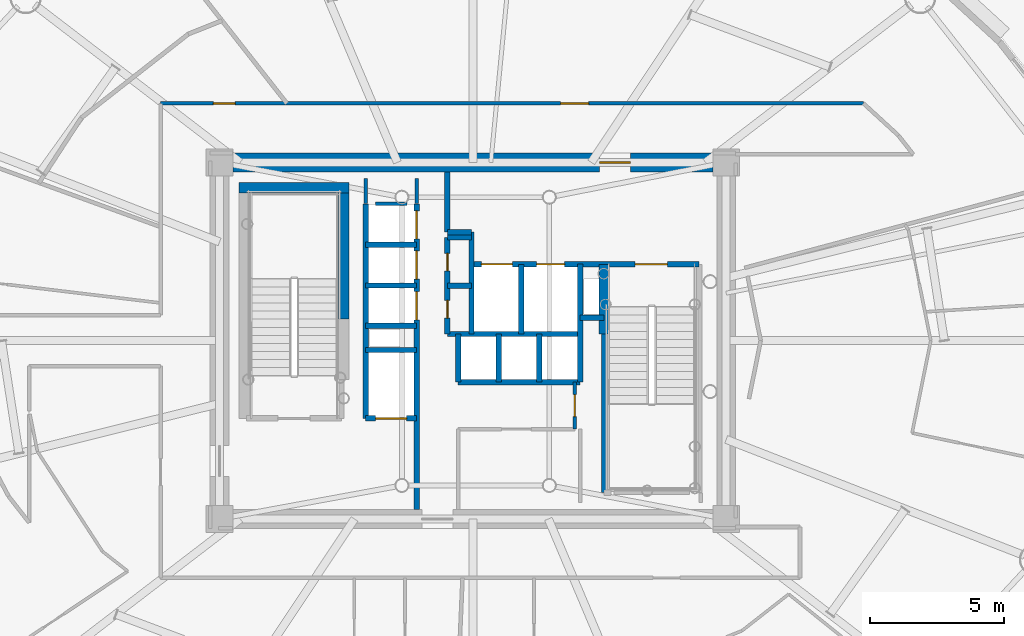
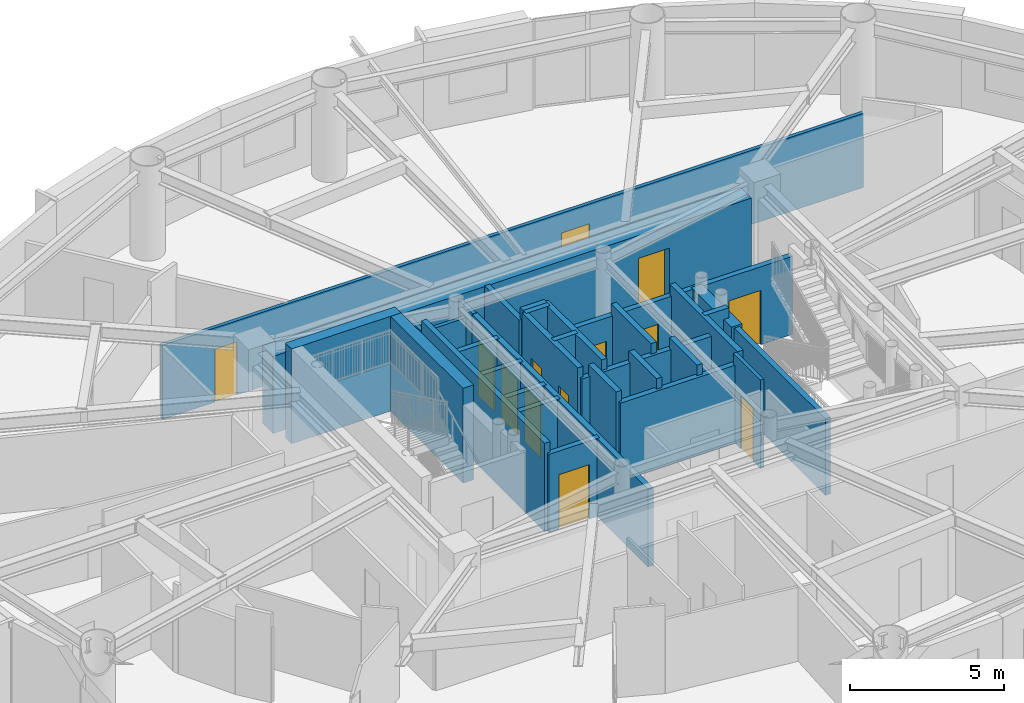
# One storey, part 11 of 19: 32 walls, 13 doors, 13 openings.
"""IFC4 building model written with IfcOpenShell, lengths in metres."""

from ifc_helpers import new_model, si_unit, direction, frame, frame_2d, origin, origin_2d, place, context, subcontext, project, spatial, rectangle, extrude, source, transform, mapped, material, layer, layer_set, type_object, element, fill, save


model = new_model("IFC4")

# Units and contexts
model_context = context("Model", 3, precision=1e-05, world=origin(), true_north=direction((0.0, 1.0)))
body_context = subcontext(model_context, "Body", "Model", "MODEL_VIEW")
ifc_project = project(units=[si_unit("LENGTHUNIT", "METRE"), si_unit("AREAUNIT", "SQUARE_METRE"), si_unit("VOLUMEUNIT", "CUBIC_METRE"), si_unit("PLANEANGLEUNIT", "RADIAN"), si_unit("MASSUNIT", "GRAM", prefix="KILO")], contexts=[model_context])

# Site, building, storey
site_placement = place(None, origin())
site = spatial("IfcSite", under=ifc_project, at=site_placement, CompositionType="ELEMENT")
building_placement = place(site_placement, origin())
building = spatial("IfcBuilding", under=site, at=building_placement, Name="Linh Dai School and Residence Tower", CompositionType="ELEMENT")
storey_placement = place(building_placement, frame((0.0, 0.0, 210.300048828125)))
storey = spatial("IfcBuildingStorey", under=building, at=storey_placement, Name="L51", CompositionType="ELEMENT", Elevation=210.300048828125)

# Wall, openings, doors
ifc_material_1 = material(Name="Autoclaved Aerated Concrete Blockwork", Category="masonry")
ifc_layer_1 = layer(ifc_material_1, 0.135009765625)
ifc_layer_set_1 = layer_set([ifc_layer_1], Name="Autoclaved Aerated Concrete Blockwork")
wall_type_1 = type_object("IfcWallType", Name="IW-CORR-135-EI90", PredefinedType="PARTITIONING", material=ifc_layer_set_1)
wall_1_placement = place(storey_placement, frame((24.35009765625, 35.85009765625, 0.0), z_axis=(0.0, 0.0, 1.0), x_axis=(1.0, 0.0, 0.0)))
wall_1 = element("IfcWall", 1, at=wall_1_placement, inside=storey, type_object=wall_type_1, Name="L51 Interior Partition Wall 022", PredefinedType="PARTITIONING", context=body_context, shape_type="SweptSolid", body=[
    extrude(rectangle(XDim=26.2177734375, YDim=0.135009765625, at=frame_2d((13.10888671875, 0.0))), origin(), (0.0, 0.0, 1.0), 2.93505859375),
])
opening_1_placement = place(wall_1_placement, frame((14.919189453125, 0.0, 0.0)))
opening_1 = element("IfcOpeningElement", 2, at=opening_1_placement, cuts=wall_1, Name="Opening D04", PredefinedType="OPENING", context=body_context, shape_type="SweptSolid", body=[
    extrude(rectangle(XDim=1.050048828125, YDim=2.14990234375, at=origin_2d()), frame((0.52490234375, 0.07763671875, 1.074951171875), z_axis=(0.0, -1.0, 0.0), x_axis=(1.0, 0.0, 0.0)), (0.0, 0.0, 1.0), 0.155029296875),
])
opening_2_placement = place(wall_1_placement, frame((1.96533203125, 0.0, 0.0)))
opening_2 = element("IfcOpeningElement", 3, at=opening_2_placement, cuts=wall_1, Name="Opening D06", PredefinedType="OPENING", context=body_context, shape_type="SweptSolid", body=[
    extrude(rectangle(XDim=0.820068359375, YDim=2.10009765625, at=origin_2d()), frame((0.41015625, 0.07763671875, 1.050048828125), z_axis=(0.0, -1.0, 0.0), x_axis=(1.0, 0.0, 0.0)), (0.0, 0.0, 1.0), 0.155029296875),
])
ifc_material_2 = material(Name="Acoustic Vision-Panel Timber Classroom Door", Category="wood")
door_type_1 = type_object("IfcDoorType", Name="DR-SCH-1050x2150-FD60S", OperationType="NOTDEFINED", PredefinedType="DOOR", material=ifc_material_2)
shared_shape_1 = source(origin(), body_context, "Body", "SweptSolid", [
    extrude(rectangle(XDim=1.050048828125, YDim=2.14990234375, at=origin_2d()), frame((0.52490234375, 0.02490234375, 1.074951171875), z_axis=(0.0, -1.0, 0.0), x_axis=(1.0, 0.0, 0.0)), (0.0, 0.0, 1.0), 0.050048828125),
])
door_1_placement = place(opening_1_placement, origin())
door_1 = element("IfcDoor", 4, at=door_1_placement, inside=storey, type_object=door_type_1, Name="L51 Mid-High Resident Dining Club Door", OperationType="SINGLE_SWING_RIGHT", OverallHeight=2.14990234375, OverallWidth=1.050048828125, PredefinedType="DOOR", context=body_context, shape_type="MappedRepresentation", body=[
    mapped(shared_shape_1, transform((0.0, 0.0, 0.0), x_axis=(1.0, 0.0, 0.0), y_axis=(0.0, 1.0, 0.0), z_axis=(0.0, 0.0, 1.0), scale=1.0)),
])
fill(opening_1, door_1)
ifc_material_3 = material(Name="Moisture-Resistant Timber Bathroom Door", Category="wood")
door_type_2 = type_object("IfcDoorType", Name="DR-WET-820x2100", OperationType="NOTDEFINED", PredefinedType="DOOR", material=ifc_material_3)
shared_shape_2 = source(origin(), body_context, "Body", "SweptSolid", [
    extrude(rectangle(XDim=0.820068359375, YDim=2.10009765625, at=origin_2d()), frame((0.41015625, 0.02490234375, 1.050048828125), z_axis=(0.0, -1.0, 0.0), x_axis=(1.0, 0.0, 0.0)), (0.0, 0.0, 1.0), 0.050048828125),
])
door_2_placement = place(opening_2_placement, origin())
door_2 = element("IfcDoor", 5, at=door_2_placement, inside=storey, type_object=door_type_2, Name="L51 Amenity Washroom Door", OperationType="SINGLE_SWING_LEFT", OverallHeight=2.10009765625, OverallWidth=0.820068359375, PredefinedType="DOOR", context=body_context, shape_type="MappedRepresentation", body=[
    mapped(shared_shape_2, transform((0.0, 0.0, 0.0), x_axis=(1.0, 0.0, 0.0), y_axis=(0.0, 1.0, 0.0), z_axis=(0.0, 0.0, 1.0), scale=1.0)),
])
fill(opening_2, door_2)

# Wall, opening, door
wall_2_placement = place(storey_placement, frame((39.800048828125, 23.699951171875, 0.0), z_axis=(0.0, 0.0, 1.0), x_axis=(0.0, 1.0, 0.0)))
wall_2 = element("IfcWall", 6, at=wall_2_placement, inside=storey, type_object=wall_type_1, Name="L51 Interior Partition Wall 056", PredefinedType="PARTITIONING", context=body_context, shape_type="SweptSolid", body=[
    extrude(rectangle(XDim=1.75, YDim=0.135009765625, at=frame_2d((0.875, 0.0))), origin(), (0.0, 0.0, 1.0), 3.5),
])
opening_3_placement = place(wall_2_placement, frame((0.465087890625, 0.0, 0.0)))
opening_3 = element("IfcOpeningElement", 7, at=opening_3_placement, cuts=wall_2, Name="Opening D06", PredefinedType="OPENING", context=body_context, shape_type="SweptSolid", body=[
    extrude(rectangle(XDim=0.820068359375, YDim=2.10009765625, at=origin_2d()), frame((0.41015625, 0.07763671875, 1.050048828125), z_axis=(0.0, -1.0, 0.0), x_axis=(1.0, 0.0, 0.0)), (0.0, 0.0, 1.0), 0.155029296875),
])
door_3_placement = place(opening_3_placement, origin())
door_3 = element("IfcDoor", 8, at=door_3_placement, inside=storey, type_object=door_type_2, Name="L51 Core Housekeeping Store Door", OperationType="SINGLE_SWING_LEFT", OverallHeight=2.10009765625, OverallWidth=0.820068359375, PredefinedType="DOOR", context=body_context, shape_type="MappedRepresentation", body=[
    mapped(shared_shape_2, transform((0.0, 0.0, 0.0), x_axis=(1.0, 0.0, 0.0), y_axis=(0.0, 1.0, 0.0), z_axis=(0.0, 0.0, 1.0), scale=1.0)),
])
fill(opening_3, door_3)

# Walls
wall_3_placement = place(storey_placement, frame((32.360107421875, 32.10009765625, 0.0), z_axis=(0.0, 0.0, 1.0), x_axis=(1.0, 0.0, 0.0)))
element("IfcWall", 9, at=wall_3_placement, inside=storey, type_object=wall_type_1, Name="L51 Interior Partition Wall 079", PredefinedType="PARTITIONING", context=body_context, shape_type="SweptSolid", body=[
    extrude(rectangle(XDim=1.179931640625, YDim=0.135009765625, at=frame_2d((0.58984375, 0.0))), origin(), (0.0, 0.0, 1.0), 3.0849609375),
])
wall_4_placement = place(storey_placement, frame((32.0, 33.0400390625, 0.0), z_axis=(0.0, 0.0, 1.0), x_axis=(0.0, -1.0, 0.0)))
element("IfcWall", 10, at=wall_4_placement, inside=storey, type_object=wall_type_1, Name="L51 Interior Partition Wall 081", PredefinedType="PARTITIONING", context=body_context, shape_type="SweptSolid", body=[
    extrude(rectangle(XDim=0.929931640625, YDim=0.135009765625, at=frame_2d((0.46484375, 0.0))), origin(), (0.0, 0.0, 1.0), 3.034912109375),
])
wall_5_placement = place(storey_placement, frame((33.89990234375, 32.110107421875, 0.0), z_axis=(0.0, 0.0, 1.0), x_axis=(0.0, 1.0, 0.0)))
element("IfcWall", 11, at=wall_5_placement, inside=storey, type_object=wall_type_1, Name="L51 Interior Partition Wall 083", PredefinedType="PARTITIONING", context=body_context, shape_type="SweptSolid", body=[
    extrude(rectangle(XDim=0.929931640625, YDim=0.135009765625, at=frame_2d((0.46484375, 0.0))), origin(), (0.0, 0.0, 1.0), 3.0849609375),
])
ifc_material_4 = material(Name="Concrete B45 (C35/45)", Category="concrete")
ifc_layer_2 = layer(ifc_material_4, 0.199951171875)
ifc_layer_set_2 = layer_set([ifc_layer_2], Name="Concrete B45 (C35/45)")
wall_type_2 = type_object("IfcWallType", Name="IW-SHAFT-200-EI120", PredefinedType="PARTITIONING", material=ifc_layer_set_2)
wall_6_placement = place(storey_placement, frame((32.0, 24.10009765625, 0.0), z_axis=(0.0, 0.0, 1.0), x_axis=(0.0, 1.0, 0.0)))
element("IfcWall", 12, at=wall_6_placement, inside=storey, type_object=wall_type_2, Name="L51 Interior Partition Wall 030", PredefinedType="PARTITIONING", context=body_context, shape_type="SweptSolid", body=[
    extrude(rectangle(XDim=8.0, YDim=0.199951171875, at=frame_2d((4.0, 0.0))), origin(), (0.0, 0.0, 1.0), 3.5),
])

# Wall, opening, door
wall_7_placement = place(storey_placement, frame((32.0, 24.10009765625, 0.0), z_axis=(0.0, 0.0, 1.0), x_axis=(1.0, 0.0, 0.0)))
wall_7 = element("IfcWall", 13, at=wall_7_placement, inside=storey, type_object=wall_type_2, Name="L51 Interior Partition Wall 031", PredefinedType="PARTITIONING", context=body_context, shape_type="SweptSolid", body=[
    extrude(rectangle(XDim=1.89990234375, YDim=0.199951171875, at=frame_2d((0.949951171875, 0.0))), origin(), (0.0, 0.0, 1.0), 3.0849609375),
])
opening_4_placement = place(wall_7_placement, frame((0.375, 0.0, 0.0)))
opening_4 = element("IfcOpeningElement", 14, at=opening_4_placement, cuts=wall_7, Name="Opening LD-FF2", PredefinedType="OPENING", context=body_context, shape_type="SweptSolid", body=[
    extrude(rectangle(XDim=1.14990234375, YDim=2.14990234375, at=origin_2d()), frame((0.574951171875, 0.10986328125, 1.074951171875), z_axis=(0.0, -1.0, 0.0), x_axis=(1.0, 0.0, 0.0)), (0.0, 0.0, 1.0), 0.219970703125),
])
ifc_material_5 = material(Name="Fire-Rated Stainless Steel Firefighting Lift Door", Category="steel")
door_type_3 = type_object("IfcDoorType", Name="DR-LD-FF-1150x2150-FD120", OperationType="DOUBLE_DOOR_SLIDING", PredefinedType="USERDEFINED", material=ifc_material_5)
shared_shape_3 = source(origin(), body_context, "Body", "SweptSolid", [
    extrude(rectangle(XDim=1.14990234375, YDim=2.14990234375, at=origin_2d()), frame((0.574951171875, 0.02490234375, 1.074951171875), z_axis=(0.0, -1.0, 0.0), x_axis=(1.0, 0.0, 0.0)), (0.0, 0.0, 1.0), 0.050048828125),
])
door_4_placement = place(opening_4_placement, origin())
door_4 = element("IfcDoor", 15, at=door_4_placement, inside=storey, type_object=door_type_3, Name="L51 Lift FF2 Sliding Landing Door", ObjectType="LANDING DOOR", OperationType="DOUBLE_DOOR_SLIDING", OverallHeight=2.14990234375, OverallWidth=1.14990234375, PredefinedType="USERDEFINED", context=body_context, shape_type="MappedRepresentation", body=[
    mapped(shared_shape_3, transform((0.0, 0.0, 0.0), x_axis=(1.0, 0.0, 0.0), y_axis=(0.0, 1.0, 0.0), z_axis=(0.0, 0.0, 1.0), scale=1.0)),
])
fill(opening_4, door_4)

# Walls
for number, where, z_axis, x_axis, name in (
    (16, (32.0, 26.64990234375, 0.0), (0.0, 0.0, 1.0), (1.0, 0.0, 0.0), "L51 Interior Partition Wall 032"),
    (17, (32.0, 27.550048828125, 0.0), (0.0, 0.0, 1.0), (1.0, 0.0, 0.0), "L51 Interior Partition Wall 033"),
    (18, (32.0, 29.06005859375, 0.0), (0.0, 0.0, 1.0), (1.0, 0.0, 0.0), "L51 Interior Partition Wall 034"),
    (19, (32.0, 30.580078125, 0.0), (0.0, 0.0, 1.0), (1.0, 0.0, 0.0), "L51 Interior Partition Wall 035"),
):
    element("IfcWall", number, at=place(storey_placement, frame(where, z_axis=z_axis, x_axis=x_axis)), inside=storey, type_object=wall_type_2, Name=name, PredefinedType="PARTITIONING", context=body_context, shape_type="SweptSolid", body=[
        extrude(rectangle(XDim=1.89990234375, YDim=0.199951171875, at=frame_2d((0.949951171875, 0.0))), origin(), (0.0, 0.0, 1.0), 3.0849609375),
    ])

# Wall, openings, doors
wall_8_placement = place(storey_placement, frame((33.89990234375, 20.699951171875, 0.0), z_axis=(0.0, 0.0, 1.0), x_axis=(0.0, 1.0, 0.0)))
wall_8 = element("IfcWall", 20, at=wall_8_placement, inside=storey, type_object=wall_type_2, Name="L51 Interior Partition Wall 037", PredefinedType="PARTITIONING", context=body_context, shape_type="SweptSolid", body=[
    extrude(rectangle(XDim=11.400146484375, YDim=0.199951171875, at=frame_2d((5.7001953125, 0.0))), origin(), (0.0, 0.0, 1.0), 3.0849609375),
])
opening_5_placement = place(wall_8_placement, frame((7.080078125, 0.0, 0.0)))
opening_5 = element("IfcOpeningElement", 21, at=opening_5_placement, cuts=wall_8, Name="Opening LD-PL4", PredefinedType="OPENING", context=body_context, shape_type="SweptSolid", body=[
    extrude(rectangle(XDim=1.050048828125, YDim=2.14990234375, at=origin_2d()), frame((0.52490234375, 0.10986328125, 1.074951171875), z_axis=(0.0, -1.0, 0.0), x_axis=(1.0, 0.0, 0.0)), (0.0, 0.0, 1.0), 0.219970703125),
])
opening_6_placement = place(wall_8_placement, frame((8.594970703125, 0.0, 0.0)))
opening_6 = element("IfcOpeningElement", 22, at=opening_6_placement, cuts=wall_8, Name="Opening LD-PL5", PredefinedType="OPENING", context=body_context, shape_type="SweptSolid", body=[
    extrude(rectangle(XDim=1.050048828125, YDim=2.14990234375, at=origin_2d()), frame((0.52490234375, 0.10986328125, 1.074951171875), z_axis=(0.0, -1.0, 0.0), x_axis=(1.0, 0.0, 0.0)), (0.0, 0.0, 1.0), 0.219970703125),
])
opening_7_placement = place(wall_8_placement, frame((10.094970703125, 0.0, 0.0)))
opening_7 = element("IfcOpeningElement", 23, at=opening_7_placement, cuts=wall_8, Name="Opening LD-PL6", PredefinedType="OPENING", context=body_context, shape_type="SweptSolid", body=[
    extrude(rectangle(XDim=1.050048828125, YDim=2.14990234375, at=origin_2d()), frame((0.52490234375, 0.10986328125, 1.074951171875), z_axis=(0.0, -1.0, 0.0), x_axis=(1.0, 0.0, 0.0)), (0.0, 0.0, 1.0), 0.219970703125),
])
ifc_material_6 = material(Name="Brushed Stainless Steel Lift Landing Door", Category="steel")
door_type_4 = type_object("IfcDoorType", Name="DR-LD-PASS-1050x2150", OperationType="DOUBLE_DOOR_SLIDING", PredefinedType="USERDEFINED", material=ifc_material_6)
shared_shape_4 = source(origin(), body_context, "Body", "SweptSolid", [
    extrude(rectangle(XDim=1.050048828125, YDim=2.14990234375, at=origin_2d()), frame((0.52490234375, 0.02490234375, 1.074951171875), z_axis=(0.0, -1.0, 0.0), x_axis=(1.0, 0.0, 0.0)), (0.0, 0.0, 1.0), 0.050048828125),
])
door_5_placement = place(opening_5_placement, origin())
door_5 = element("IfcDoor", 24, at=door_5_placement, inside=storey, type_object=door_type_4, Name="L51 Lift PL4 Sliding Landing Door", ObjectType="LANDING DOOR", OperationType="DOUBLE_DOOR_SLIDING", OverallHeight=2.14990234375, OverallWidth=1.050048828125, PredefinedType="USERDEFINED", context=body_context, shape_type="MappedRepresentation", body=[
    mapped(shared_shape_4, transform((0.0, 0.0, 0.0), x_axis=(1.0, 0.0, 0.0), y_axis=(0.0, 1.0, 0.0), z_axis=(0.0, 0.0, 1.0), scale=1.0)),
])
fill(opening_5, door_5)
door_6_placement = place(opening_6_placement, origin())
door_6 = element("IfcDoor", 25, at=door_6_placement, inside=storey, type_object=door_type_4, Name="L51 Lift PL5 Sliding Landing Door", ObjectType="LANDING DOOR", OperationType="DOUBLE_DOOR_SLIDING", OverallHeight=2.14990234375, OverallWidth=1.050048828125, PredefinedType="USERDEFINED", context=body_context, shape_type="MappedRepresentation", body=[
    mapped(shared_shape_4, transform((0.0, 0.0, 0.0), x_axis=(1.0, 0.0, 0.0), y_axis=(0.0, 1.0, 0.0), z_axis=(0.0, 0.0, 1.0), scale=1.0)),
])
fill(opening_6, door_6)
door_7_placement = place(opening_7_placement, origin())
door_7 = element("IfcDoor", 26, at=door_7_placement, inside=storey, type_object=door_type_4, Name="L51 Lift PL6 Sliding Landing Door", ObjectType="LANDING DOOR", OperationType="DOUBLE_DOOR_SLIDING", OverallHeight=2.14990234375, OverallWidth=1.050048828125, PredefinedType="USERDEFINED", context=body_context, shape_type="MappedRepresentation", body=[
    mapped(shared_shape_4, transform((0.0, 0.0, 0.0), x_axis=(1.0, 0.0, 0.0), y_axis=(0.0, 1.0, 0.0), z_axis=(0.0, 0.0, 1.0), scale=1.0)),
])
fill(opening_7, door_7)

wall_9_placement = place(storey_placement, frame((35.050048828125, 27.25, 0.0), z_axis=(0.0, 0.0, 1.0), x_axis=(0.0, 1.0, 0.0)))
wall_9 = element("IfcWall", 27, at=wall_9_placement, inside=storey, type_object=wall_type_2, Name="L51 Interior Partition Wall 038", PredefinedType="PARTITIONING", context=body_context, shape_type="SweptSolid", body=[
    extrude(rectangle(XDim=3.60009765625, YDim=0.199951171875, at=frame_2d((1.800048828125, 0.0))), origin(), (0.0, 0.0, 1.0), 3.5),
])
opening_8_placement = place(wall_9_placement, frame((0.590087890625, 0.0, 0.0)))
opening_8 = element("IfcOpeningElement", 28, at=opening_8_placement, cuts=wall_9, Name="Opening AD1", PredefinedType="OPENING", context=body_context, shape_type="SweptSolid", body=[
    extrude(rectangle(XDim=0.659912109375, YDim=2.050048828125, at=origin_2d()), frame((0.330078125, 0.10986328125, 1.02490234375), z_axis=(0.0, -1.0, 0.0), x_axis=(1.0, 0.0, 0.0)), (0.0, 0.0, 1.0), 0.219970703125),
])
opening_9_placement = place(wall_9_placement, frame((2.35009765625, 0.0, 0.0)))
opening_9 = element("IfcOpeningElement", 29, at=opening_9_placement, cuts=wall_9, Name="Opening AD1", PredefinedType="OPENING", context=body_context, shape_type="SweptSolid", body=[
    extrude(rectangle(XDim=0.659912109375, YDim=2.050048828125, at=origin_2d()), frame((0.330078125, 0.10986328125, 1.02490234375), z_axis=(0.0, -1.0, 0.0), x_axis=(1.0, 0.0, 0.0)), (0.0, 0.0, 1.0), 0.219970703125),
])
ifc_material_7 = material(Name="Fire-Rated Steel Riser Access Door", Category="steel")
door_type_5 = type_object("IfcDoorType", Name="DR-ACC-660x2050-FD90S", OperationType="NOTDEFINED", PredefinedType="USERDEFINED", material=ifc_material_7)
shared_shape_5 = source(origin(), body_context, "Body", "SweptSolid", [
    extrude(rectangle(XDim=0.659912109375, YDim=2.050048828125, at=origin_2d()), frame((0.330078125, 0.02490234375, 1.02490234375), z_axis=(0.0, -1.0, 0.0), x_axis=(1.0, 0.0, 0.0)), (0.0, 0.0, 1.0), 0.050048828125),
])
door_8_placement = place(opening_8_placement, origin())
door_8 = element("IfcDoor", 30, at=door_8_placement, inside=storey, type_object=door_type_5, Name="L51 Telecom and Data Riser Access Door", ObjectType="ACCESS DOOR", OperationType="SINGLE_SWING_RIGHT", OverallHeight=2.050048828125, OverallWidth=0.659912109375, PredefinedType="USERDEFINED", context=body_context, shape_type="MappedRepresentation", body=[
    mapped(shared_shape_5, transform((0.0, 0.0, 0.0), x_axis=(1.0, 0.0, 0.0), y_axis=(0.0, 1.0, 0.0), z_axis=(0.0, 0.0, 1.0), scale=1.0)),
])
fill(opening_8, door_8)
door_9_placement = place(opening_9_placement, origin())
door_9 = element("IfcDoor", 31, at=door_9_placement, inside=storey, type_object=door_type_5, Name="L51 Mechanical and Plumbing Riser Access Door", ObjectType="ACCESS DOOR", OperationType="SINGLE_SWING_LEFT", OverallHeight=2.050048828125, OverallWidth=0.659912109375, PredefinedType="USERDEFINED", context=body_context, shape_type="MappedRepresentation", body=[
    mapped(shared_shape_5, transform((0.0, 0.0, 0.0), x_axis=(1.0, 0.0, 0.0), y_axis=(0.0, 1.0, 0.0), z_axis=(0.0, 0.0, 1.0), scale=1.0)),
])
fill(opening_9, door_9)

# Walls
wall_10_placement = place(storey_placement, frame((35.050048828125, 27.25, 0.0), z_axis=(0.0, 0.0, 1.0), x_axis=(1.0, 0.0, 0.0)))
element("IfcWall", 32, at=wall_10_placement, inside=storey, type_object=wall_type_2, Name="L51 Interior Partition Wall 039", PredefinedType="PARTITIONING", context=body_context, shape_type="SweptSolid", body=[
    extrude(rectangle(XDim=4.949951171875, YDim=0.199951171875, at=frame_2d((2.47509765625, 0.0))), origin(), (0.0, 0.0, 1.0), 3.0849609375),
])
for number, where, z_axis, x_axis, name in (
    (33, (35.050048828125, 29.050048828125, 0.0), (0.0, 0.0, 1.0), (1.0, 0.0, 0.0), "L51 Interior Partition Wall 040"),
    (34, (35.050048828125, 30.85009765625, 0.0), (0.0, 0.0, 1.0), (1.0, 0.0, 0.0), "L51 Interior Partition Wall 041"),
):
    element("IfcWall", number, at=place(storey_placement, frame(where, z_axis=z_axis, x_axis=x_axis)), inside=storey, type_object=wall_type_2, Name=name, PredefinedType="PARTITIONING", context=body_context, shape_type="SweptSolid", body=[
        extrude(rectangle(XDim=0.89990234375, YDim=0.199951171875, at=frame_2d((0.449951171875, 0.0))), origin(), (0.0, 0.0, 1.0), 3.5),
    ])
wall_11_placement = place(storey_placement, frame((35.050048828125, 31.050048828125, 0.0), z_axis=(0.0, 0.0, 1.0), x_axis=(0.0, 1.0, 0.0)))
element("IfcWall", 35, at=wall_11_placement, inside=storey, type_object=wall_type_2, Name="L51 Interior Partition Wall 042", PredefinedType="PARTITIONING", context=body_context, shape_type="SweptSolid", body=[
    extrude(rectangle(XDim=2.25, YDim=0.199951171875, at=frame_2d((1.125, 0.0))), origin(), (0.0, 0.0, 1.0), 3.0849609375),
])
wall_12_placement = place(storey_placement, frame((35.050048828125, 31.050048828125, 0.0), z_axis=(0.0, 0.0, 1.0), x_axis=(1.0, 0.0, 0.0)))
element("IfcWall", 36, at=wall_12_placement, inside=storey, type_object=wall_type_2, Name="L51 Interior Partition Wall 043", PredefinedType="PARTITIONING", context=body_context, shape_type="SweptSolid", body=[
    extrude(rectangle(XDim=0.89990234375, YDim=0.199951171875, at=frame_2d((0.449951171875, 0.0))), origin(), (0.0, 0.0, 1.0), 3.5),
])
wall_13_placement = place(storey_placement, frame((35.449951171875, 25.449951171875, 0.0), z_axis=(0.0, 0.0, 1.0), x_axis=(0.0, 1.0, 0.0)))
element("IfcWall", 37, at=wall_13_placement, inside=storey, type_object=wall_type_2, Name="L51 Interior Partition Wall 047", PredefinedType="PARTITIONING", context=body_context, shape_type="SweptSolid", body=[
    extrude(rectangle(XDim=1.800048828125, YDim=0.199951171875, at=frame_2d((0.89990234375, 0.0))), origin(), (0.0, 0.0, 1.0), 3.5),
])
wall_14_placement = place(storey_placement, frame((35.449951171875, 25.449951171875, 0.0), z_axis=(0.0, 0.0, 1.0), x_axis=(1.0, 0.0, 0.0)))
element("IfcWall", 38, at=wall_14_placement, inside=storey, type_object=wall_type_2, Name="L51 Interior Partition Wall 048", PredefinedType="PARTITIONING", context=body_context, shape_type="SweptSolid", body=[
    extrude(rectangle(XDim=4.550048828125, YDim=0.199951171875, at=frame_2d((2.27490234375, 0.0))), origin(), (0.0, 0.0, 1.0), 3.0849609375),
])
wall_15_placement = place(storey_placement, frame((35.949951171875, 27.25, 0.0), z_axis=(0.0, 0.0, 1.0), x_axis=(0.0, 1.0, 0.0)))
element("IfcWall", 39, at=wall_15_placement, inside=storey, type_object=wall_type_2, Name="L51 Interior Partition Wall 049", PredefinedType="PARTITIONING", context=body_context, shape_type="SweptSolid", body=[
    extrude(rectangle(XDim=3.800048828125, YDim=0.199951171875, at=frame_2d((1.89990234375, 0.0))), origin(), (0.0, 0.0, 1.0), 3.5),
])

# Wall, openings, doors
wall_16_placement = place(storey_placement, frame((35.949951171875, 29.85009765625, 0.0), z_axis=(0.0, 0.0, 1.0), x_axis=(1.0, 0.0, 0.0)))
wall_16 = element("IfcWall", 40, at=wall_16_placement, inside=storey, type_object=wall_type_2, Name="L51 Interior Partition Wall 050", PredefinedType="PARTITIONING", context=body_context, shape_type="SweptSolid", body=[
    extrude(rectangle(XDim=8.489990234375, YDim=0.199951171875, at=frame_2d((4.2451171875, 0.0))), origin(), (0.0, 0.0, 1.0), 3.0849609375),
])
opening_10_placement = place(wall_16_placement, frame((6.10009765625, 0.0, 0.0)))
opening_10 = element("IfcOpeningElement", 41, at=opening_10_placement, cuts=wall_16, Name="Opening D01", PredefinedType="OPENING", context=body_context, shape_type="SweptSolid", body=[
    extrude(rectangle(XDim=1.199951171875, YDim=2.14990234375, at=origin_2d()), frame((0.60009765625, 0.10986328125, 1.074951171875), z_axis=(0.0, -1.0, 0.0), x_axis=(1.0, 0.0, 0.0)), (0.0, 0.0, 1.0), 0.219970703125),
])
opening_11_placement = place(wall_16_placement, frame((0.3701171875, 0.0, 0.0)))
opening_11 = element("IfcOpeningElement", 42, at=opening_11_placement, cuts=wall_16, Name="Opening LD-FF1", PredefinedType="OPENING", context=body_context, shape_type="SweptSolid", body=[
    extrude(rectangle(XDim=1.14990234375, YDim=2.14990234375, at=origin_2d()), frame((0.574951171875, 0.10986328125, 1.074951171875), z_axis=(0.0, -1.0, 0.0), x_axis=(1.0, 0.0, 0.0)), (0.0, 0.0, 1.0), 0.219970703125),
])
opening_12_placement = place(wall_16_placement, frame((2.425048828125, 0.0, 0.0)))
opening_12 = element("IfcOpeningElement", 43, at=opening_12_placement, cuts=wall_16, Name="Opening LD-SV1", PredefinedType="OPENING", context=body_context, shape_type="SweptSolid", body=[
    extrude(rectangle(XDim=1.050048828125, YDim=2.14990234375, at=origin_2d()), frame((0.52490234375, 0.10986328125, 1.074951171875), z_axis=(0.0, -1.0, 0.0), x_axis=(1.0, 0.0, 0.0)), (0.0, 0.0, 1.0), 0.219970703125),
])
ifc_material_8 = material(Name="Fire-Rated Steel Door Leaf", Category="steel")
door_type_6 = type_object("IfcDoorType", Name="DR-STAIR-1200x2150-FD90S", OperationType="NOTDEFINED", PredefinedType="DOOR", material=ifc_material_8)
shared_shape_6 = source(origin(), body_context, "Body", "SweptSolid", [
    extrude(rectangle(XDim=1.199951171875, YDim=2.14990234375, at=origin_2d()), frame((0.60009765625, 0.02490234375, 1.074951171875), z_axis=(0.0, -1.0, 0.0), x_axis=(1.0, 0.0, 0.0)), (0.0, 0.0, 1.0), 0.050048828125),
])
door_10_placement = place(opening_10_placement, origin())
door_10 = element("IfcDoor", 44, at=door_10_placement, inside=storey, type_object=door_type_6, Name="L51 Core Smokeproof Exit Stair ST2 Door", OperationType="SINGLE_SWING_LEFT", OverallHeight=2.14990234375, OverallWidth=1.199951171875, PredefinedType="DOOR", context=body_context, shape_type="MappedRepresentation", body=[
    mapped(shared_shape_6, transform((0.0, 0.0, 0.0), x_axis=(1.0, 0.0, 0.0), y_axis=(0.0, 1.0, 0.0), z_axis=(0.0, 0.0, 1.0), scale=1.0)),
])
fill(opening_10, door_10)
door_11_placement = place(opening_11_placement, origin())
door_11 = element("IfcDoor", 45, at=door_11_placement, inside=storey, type_object=door_type_3, Name="L51 Lift FF1 Sliding Landing Door", ObjectType="LANDING DOOR", OperationType="DOUBLE_DOOR_SLIDING", OverallHeight=2.14990234375, OverallWidth=1.14990234375, PredefinedType="USERDEFINED", context=body_context, shape_type="MappedRepresentation", body=[
    mapped(shared_shape_3, transform((0.0, 0.0, 0.0), x_axis=(1.0, 0.0, 0.0), y_axis=(0.0, 1.0, 0.0), z_axis=(0.0, 0.0, 1.0), scale=1.0)),
])
fill(opening_11, door_11)
door_12_placement = place(opening_12_placement, origin())
door_12 = element("IfcDoor", 46, at=door_12_placement, inside=storey, type_object=door_type_4, Name="L51 Lift SV1 Sliding Landing Door", ObjectType="LANDING DOOR", OperationType="DOUBLE_DOOR_SLIDING", OverallHeight=2.14990234375, OverallWidth=1.050048828125, PredefinedType="USERDEFINED", context=body_context, shape_type="MappedRepresentation", body=[
    mapped(shared_shape_4, transform((0.0, 0.0, 0.0), x_axis=(1.0, 0.0, 0.0), y_axis=(0.0, 1.0, 0.0), z_axis=(0.0, 0.0, 1.0), scale=1.0)),
])
fill(opening_12, door_12)

# Walls
wall_17_placement = place(storey_placement, frame((36.9599609375, 25.449951171875, 0.0), z_axis=(0.0, 0.0, 1.0), x_axis=(0.0, 1.0, 0.0)))
element("IfcWall", 47, at=wall_17_placement, inside=storey, type_object=wall_type_2, Name="L51 Interior Partition Wall 052", PredefinedType="PARTITIONING", context=body_context, shape_type="SweptSolid", body=[
    extrude(rectangle(XDim=1.800048828125, YDim=0.199951171875, at=frame_2d((0.89990234375, 0.0))), origin(), (0.0, 0.0, 1.0), 3.5),
])
wall_18_placement = place(storey_placement, frame((37.800048828125, 27.25, 0.0), z_axis=(0.0, 0.0, 1.0), x_axis=(0.0, 1.0, 0.0)))
element("IfcWall", 48, at=wall_18_placement, inside=storey, type_object=wall_type_2, Name="L51 Interior Partition Wall 053", PredefinedType="PARTITIONING", context=body_context, shape_type="SweptSolid", body=[
    extrude(rectangle(XDim=2.60009765625, YDim=0.199951171875, at=frame_2d((1.300048828125, 0.0))), origin(), (0.0, 0.0, 1.0), 3.5),
])
wall_19_placement = place(storey_placement, frame((38.47998046875, 25.449951171875, 0.0), z_axis=(0.0, 0.0, 1.0), x_axis=(0.0, 1.0, 0.0)))
element("IfcWall", 49, at=wall_19_placement, inside=storey, type_object=wall_type_2, Name="L51 Interior Partition Wall 055", PredefinedType="PARTITIONING", context=body_context, shape_type="SweptSolid", body=[
    extrude(rectangle(XDim=1.800048828125, YDim=0.199951171875, at=frame_2d((0.89990234375, 0.0))), origin(), (0.0, 0.0, 1.0), 3.5),
])
wall_20_placement = place(storey_placement, frame((40.0, 25.449951171875, 0.0), z_axis=(0.0, 0.0, 1.0), x_axis=(0.0, 1.0, 0.0)))
element("IfcWall", 50, at=wall_20_placement, inside=storey, type_object=wall_type_2, Name="L51 Interior Partition Wall 057", PredefinedType="PARTITIONING", context=body_context, shape_type="SweptSolid", body=[
    extrude(rectangle(XDim=4.400146484375, YDim=0.199951171875, at=frame_2d((2.2001953125, 0.0))), origin(), (0.0, 0.0, 1.0), 3.5),
])
wall_21_placement = place(storey_placement, frame((40.0, 27.85009765625, 0.0), z_axis=(0.0, 0.0, 1.0), x_axis=(1.0, 0.0, 0.0)))
element("IfcWall", 51, at=wall_21_placement, inside=storey, type_object=wall_type_2, Name="L51 Interior Partition Wall 058", PredefinedType="PARTITIONING", context=body_context, shape_type="SweptSolid", body=[
    extrude(rectangle(XDim=0.89990234375, YDim=0.199951171875, at=frame_2d((0.449951171875, 0.0))), origin(), (0.0, 0.0, 1.0), 3.5),
])
wall_22_placement = place(storey_placement, frame((40.89990234375, 21.330078125, 0.0), z_axis=(0.0, 0.0, 1.0), x_axis=(0.0, 1.0, 0.0)))
element("IfcWall", 52, at=wall_22_placement, inside=storey, type_object=wall_type_2, Name="L51 Interior Partition Wall 059", PredefinedType="PARTITIONING", context=body_context, shape_type="SweptSolid", body=[
    extrude(rectangle(XDim=5.909912109375, YDim=0.199951171875, at=frame_2d((2.955078125, 0.0))), origin(), (0.0, 0.0, 1.0), 3.034912109375),
])
ifc_layer_3 = layer(ifc_material_4, 0.39990234375)
ifc_layer_set_3 = layer_set([ifc_layer_3], Name="Concrete B45 (C35/45)")
wall_type_3 = type_object("IfcWallType", Name="WL-CORE400", PredefinedType="SHEAR", material=ifc_layer_set_3)
wall_23_placement = place(storey_placement, frame((31.179931640625, 27.800048828125, 0.0), z_axis=(0.0, 0.0, 1.0), x_axis=(0.0, 1.0, 0.0)))
element("IfcWall", 53, at=wall_23_placement, inside=storey, type_object=wall_type_3, Name="L51 Core Stair ST1 Bearing Wall E", PredefinedType="SHEAR", context=body_context, shape_type="SweptSolid", body=[
    extrude(rectangle(XDim=4.89990234375, YDim=0.39990234375, at=frame_2d((2.449951171875, 0.0))), origin(), (0.0, 0.0, 1.0), 3.75),
])
wall_24_placement = place(storey_placement, frame((27.280029296875, 32.699951171875, 0.0), z_axis=(0.0, 0.0, 1.0), x_axis=(1.0, 0.0, 0.0)))
element("IfcWall", 54, at=wall_24_placement, inside=storey, type_object=wall_type_3, Name="L51 Core Stair ST1 Bearing Wall N", PredefinedType="SHEAR", context=body_context, shape_type="SweptSolid", body=[
    extrude(rectangle(XDim=4.099853515625, YDim=0.39990234375, at=frame_2d((2.0498046875, 0.0))), origin(), (0.0, 0.0, 1.0), 3.75),
])
wall_25_placement = place(storey_placement, frame((40.89990234375, 27.25, 0.0), z_axis=(0.0, 0.0, 1.0), x_axis=(0.0, 1.0, 0.0)))
element("IfcWall", 55, at=wall_25_placement, inside=storey, type_object=wall_type_3, Name="L51 Internal Core Shear Wall IE", PredefinedType="SHEAR", context=body_context, shape_type="SweptSolid", body=[
    extrude(rectangle(XDim=2.60009765625, YDim=0.39990234375, at=frame_2d((1.300048828125, 0.0))), origin(), (0.0, 0.0, 1.0), 3.099853515625),
])

# Wall, opening, door
ifc_layer_4 = layer(ifc_material_4, 0.699951171875)
ifc_layer_set_4 = layer_set([ifc_layer_4], Name="Concrete B45 (C35/45)")
wall_type_4 = type_object("IfcWallType", Name="WL-CORE700", PredefinedType="SHEAR", material=ifc_layer_set_4)
wall_26_placement = place(storey_placement, frame((27.050048828125, 33.64990234375, 0.0), z_axis=(0.0, 0.0, 1.0), x_axis=(1.0, 0.0, 0.0)))
wall_26 = element("IfcWall", 56, at=wall_26_placement, inside=storey, type_object=wall_type_4, Name="L51 Central Core Shear Wall N", PredefinedType="SHEAR", context=body_context, shape_type="SweptSolid", body=[
    extrude(rectangle(XDim=17.89990234375, YDim=0.699951171875, at=frame_2d((8.949951171875, 0.0))), origin(), (0.0, 0.0, 1.0), 3.050048828125),
])
opening_13_placement = place(wall_26_placement, frame((13.675048828125, 0.0, 0.0)))
opening_13 = element("IfcOpeningElement", 57, at=opening_13_placement, cuts=wall_26, Name="Opening D02", PredefinedType="OPENING", context=body_context, shape_type="SweptSolid", body=[
    extrude(rectangle(XDim=1.14990234375, YDim=2.14990234375, at=origin_2d()), frame((0.574951171875, 0.35986328125, 1.074951171875), z_axis=(0.0, -1.0, 0.0), x_axis=(1.0, 0.0, 0.0)), (0.0, 0.0, 1.0), 0.719970703125),
])
ifc_material_9 = material(Name="Fire-Rated Glazed Steel Lobby Door", Category="steel")
door_type_7 = type_object("IfcDoorType", Name="DR-LOBBY-1150x2150-FD90S", OperationType="NOTDEFINED", PredefinedType="DOOR", material=ifc_material_9)
shared_shape_7 = source(origin(), body_context, "Body", "SweptSolid", [
    extrude(rectangle(XDim=1.14990234375, YDim=2.14990234375, at=origin_2d()), frame((0.574951171875, 0.02490234375, 1.074951171875), z_axis=(0.0, -1.0, 0.0), x_axis=(1.0, 0.0, 0.0)), (0.0, 0.0, 1.0), 0.050048828125),
])
door_13_placement = place(opening_13_placement, origin())
door_13 = element("IfcDoor", 58, at=door_13_placement, inside=storey, type_object=door_type_7, Name="L51 Firefighting Lobby Door", OperationType="SINGLE_SWING_RIGHT", OverallHeight=2.14990234375, OverallWidth=1.14990234375, PredefinedType="DOOR", context=body_context, shape_type="MappedRepresentation", body=[
    mapped(shared_shape_7, transform((0.0, 0.0, 0.0), x_axis=(1.0, 0.0, 0.0), y_axis=(0.0, 1.0, 0.0), z_axis=(0.0, 0.0, 1.0), scale=1.0)),
])
fill(opening_13, door_13)

save(model, "model.ifc")
